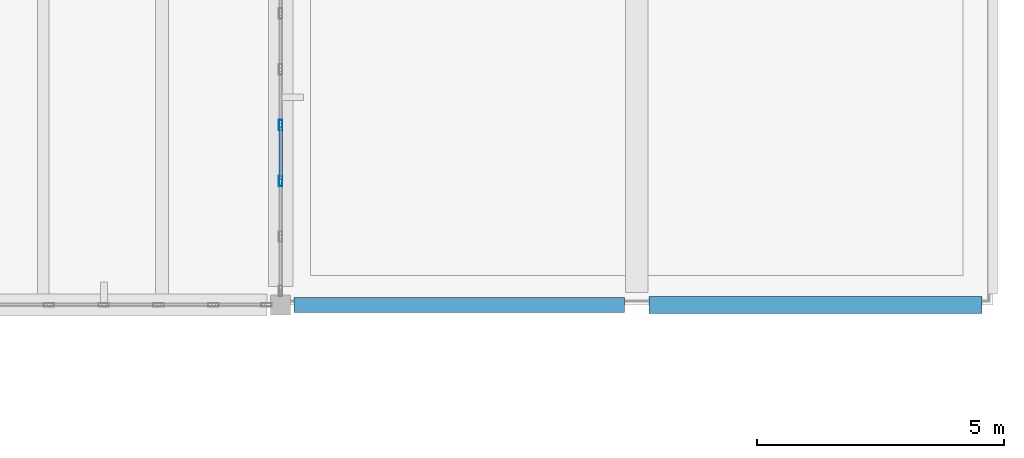
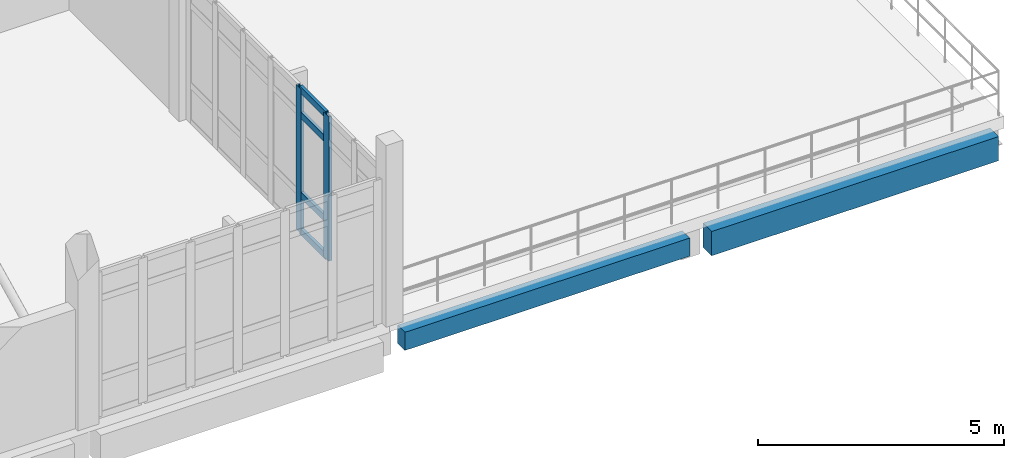
# One storey, part 10 of 34: 6 members, 2 beams, 1 element without a shape of its own.
"""IFC4 building model written with IfcOpenShell, lengths in metres."""

from ifc_helpers import new_model, si_unit, direction, frame, origin, origin_2d, place, context, subcontext, project, spatial, rectangle, hollow_rectangle, extrude, material, material_profile, profile_set, type_object, element, aggregate, save


model = new_model("IFC4")

# Units and contexts
model_context = context("Model", 3, precision=1e-05, world=origin(), true_north=direction((0.0, 1.0)))
body_context = subcontext(model_context, "Body", "Model", "MODEL_VIEW")
ifc_project = project(units=[si_unit("LENGTHUNIT", "METRE"), si_unit("AREAUNIT", "SQUARE_METRE"), si_unit("VOLUMEUNIT", "CUBIC_METRE"), si_unit("PLANEANGLEUNIT", "RADIAN"), si_unit("MASSUNIT", "GRAM", prefix="KILO")], contexts=[model_context])

# Site, building, storey
site_placement = place(None, origin())
site = spatial("IfcSite", under=ifc_project, at=site_placement, CompositionType="ELEMENT")
building_placement = place(site_placement, origin())
building = spatial("IfcBuilding", under=site, at=building_placement, Name="Kalluvel Institute of Natural Sciences", CompositionType="ELEMENT")
storey_placement = place(building_placement, frame((0.0, 0.0, 36.89990234375)))
storey = spatial("IfcBuildingStorey", under=building, at=storey_placement, Name="L08", CompositionType="ELEMENT", Elevation=36.89990234375)

# Curtain wall, members
ifc_material_1 = material(Name="Aluminium AW-6063 T6", Category="aluminium")
curtain_wall_type = type_object("IfcCurtainWallType", Name="CW-WET-45", PredefinedType="USERDEFINED", material=ifc_material_1)
curtain_wall_placement = place(storey_placement, origin())
curtain_wall = element("IfcCurtainWall", 1, at=curtain_wall_placement, inside=storey, type_object=curtain_wall_type, Name="L08 Gothic lancet curtain wall CWA-L08-X860-Y1030", ObjectType="UNITISED LANCET FACADE", PredefinedType="USERDEFINED")
ifc_material_profile_1 = material_profile(ifc_material_1, hollow_rectangle(XDim=0.070068359375, YDim=0.2099609375, WallThickness=0.0048828125, at=origin_2d()), Name="CWM 70x210")
ifc_profile_set_1 = profile_set([ifc_material_profile_1], Name="Aluminium AW-6063 T6")
member_type_1 = type_object("IfcMemberType", Name="CWM-70x210", PredefinedType="MULLION", material=ifc_profile_set_1)
member_1_placement = place(storey_placement, frame((86.0, 105.30712890625, 0.0), z_axis=(0.0, 0.0, 1.0), x_axis=(-1.0, 0.0, 0.0)))
member_1 = element("IfcMember", 2, at=member_1_placement, type_object=member_type_1, Name="CW-01 mullion 3", PredefinedType="MULLION", context=body_context, shape_type="SweptSolid", body=[
    extrude(hollow_rectangle(XDim=0.070068359375, YDim=0.2099609375, WallThickness=0.0048828125, at=origin_2d()), origin(), (0.0, 0.0, 1.0), 3.580078125),
])
member_2_placement = place(storey_placement, frame((86.0, 106.435791015625, 0.0), z_axis=(0.0, 0.0, 1.0), x_axis=(-1.0, 0.0, 0.0)))
member_2 = element("IfcMember", 3, at=member_2_placement, type_object=member_type_1, Name="CW-01 mullion 4", PredefinedType="MULLION", context=body_context, shape_type="SweptSolid", body=[
    extrude(hollow_rectangle(XDim=0.070068359375, YDim=0.2099609375, WallThickness=0.0048828125, at=origin_2d()), origin(), (0.0, 0.0, 1.0), 3.580078125),
])
ifc_material_profile_2 = material_profile(ifc_material_1, hollow_rectangle(XDim=0.070068359375, YDim=0.159912109375, WallThickness=0.0048828125, at=origin_2d()), Name="CWT 70x160")
ifc_profile_set_2 = profile_set([ifc_material_profile_2], Name="Aluminium AW-6063 T6")
member_type_2 = type_object("IfcMemberType", Name="CWT-70x160", PredefinedType="USERDEFINED", material=ifc_profile_set_2)
member_3_placement = place(storey_placement, frame((86.0, 105.342041015625, 0.03515625), z_axis=(0.0, 1.0, 0.0), x_axis=(-1.0, 0.0, 0.0)))
member_3 = element("IfcMember", 4, at=member_3_placement, type_object=member_type_2, Name="CW-01 transom 3.1", ObjectType="TRANSOM", PredefinedType="USERDEFINED", context=body_context, shape_type="SweptSolid", body=[
    extrude(hollow_rectangle(XDim=0.070068359375, YDim=0.159912109375, WallThickness=0.0048828125, at=origin_2d()), origin(), (0.0, 0.0, 1.0), 1.05859375),
])
member_4_placement = place(storey_placement, frame((86.0, 105.342041015625, 0.9501953125), z_axis=(0.0, 1.0, 0.0), x_axis=(-1.0, 0.0, 0.0)))
member_4 = element("IfcMember", 5, at=member_4_placement, type_object=member_type_2, Name="CW-01 transom 3.2", ObjectType="TRANSOM", PredefinedType="USERDEFINED", context=body_context, shape_type="SweptSolid", body=[
    extrude(hollow_rectangle(XDim=0.070068359375, YDim=0.159912109375, WallThickness=0.0048828125, at=origin_2d()), origin(), (0.0, 0.0, 1.0), 1.05859375),
])
member_5_placement = place(storey_placement, frame((86.0, 105.342041015625, 2.93017578125), z_axis=(0.0, 1.0, 0.0), x_axis=(-1.0, 0.0, 0.0)))
member_5 = element("IfcMember", 6, at=member_5_placement, type_object=member_type_2, Name="CW-01 transom 3.3", ObjectType="TRANSOM", PredefinedType="USERDEFINED", context=body_context, shape_type="SweptSolid", body=[
    extrude(hollow_rectangle(XDim=0.070068359375, YDim=0.159912109375, WallThickness=0.0048828125, at=origin_2d()), origin(), (0.0, 0.0, 1.0), 1.05859375),
])
member_6_placement = place(storey_placement, frame((86.0, 105.342041015625, 3.545166015625), z_axis=(0.0, 1.0, 0.0), x_axis=(-1.0, 0.0, 0.0)))
member_6 = element("IfcMember", 7, at=member_6_placement, type_object=member_type_2, Name="CW-01 transom 3.4", ObjectType="TRANSOM", PredefinedType="USERDEFINED", context=body_context, shape_type="SweptSolid", body=[
    extrude(hollow_rectangle(XDim=0.070068359375, YDim=0.159912109375, WallThickness=0.0048828125, at=origin_2d()), origin(), (0.0, 0.0, 1.0), 1.05859375),
])
aggregate(curtain_wall, [member_1, member_2, member_3, member_4, member_5, member_6])

# Beams
ifc_material_2 = material(Name="Concrete M40", Category="concrete")
ifc_material_profile_3 = material_profile(ifc_material_2, rectangle(XDim=0.300048828125, YDim=0.449951171875, at=origin_2d()), Name="RCB 300x450")
ifc_profile_set_3 = profile_set([ifc_material_profile_3], Name="Concrete M40")
beam_type_1 = type_object("IfcBeamType", Name="SP-RC300x450", PredefinedType="SPANDREL", material=ifc_profile_set_3)
beam_1_placement = place(storey_placement, frame((86.27490234375, 102.800048828125, -0.544921875), z_axis=(1.0, 0.0, 0.0), x_axis=(0.0, 1.0, 0.0)))
element("IfcBeam", 8, at=beam_1_placement, inside=storey, type_object=beam_type_1, Name="L08 girder GIR-L08-EW-X860-Y1028", PredefinedType="SPANDREL", context=body_context, shape_type="SweptSolid", body=[
    extrude(rectangle(XDim=0.300048828125, YDim=0.449951171875, at=origin_2d()), origin(), (0.0, 0.0, 1.0), 6.675048828125),
])
ifc_material_profile_4 = material_profile(ifc_material_2, rectangle(XDim=0.35009765625, YDim=0.60009765625, at=origin_2d()), Name="RCB 350x600")
ifc_profile_set_4 = profile_set([ifc_material_profile_4], Name="Concrete M40")
beam_type_2 = type_object("IfcBeamType", Name="SP-RC350x600", PredefinedType="SPANDREL", material=ifc_profile_set_4)
beam_2_placement = place(storey_placement, frame((93.449951171875, 102.800048828125, -0.619873046875), z_axis=(1.0, 0.0, 0.0), x_axis=(0.0, 1.0, 0.0)))
element("IfcBeam", 9, at=beam_2_placement, inside=storey, type_object=beam_type_2, Name="L08 girder GIR-L08-EW-X932-Y1028", PredefinedType="SPANDREL", context=body_context, shape_type="SweptSolid", body=[
    extrude(rectangle(XDim=0.35009765625, YDim=0.60009765625, at=origin_2d()), origin(), (0.0, 0.0, 1.0), 6.72509765625),
])

save(model, "model.ifc")
